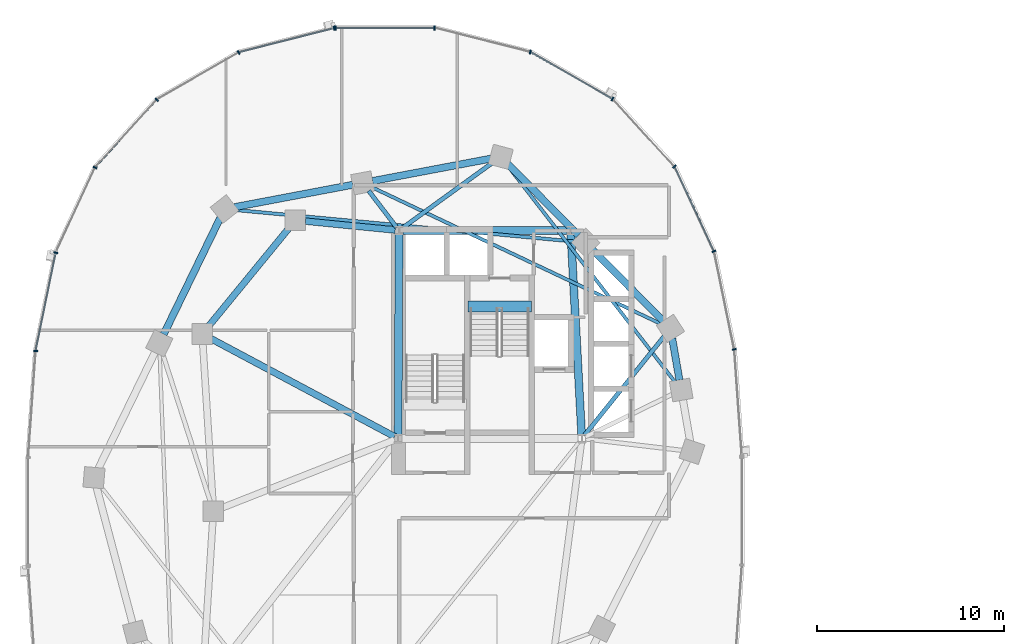
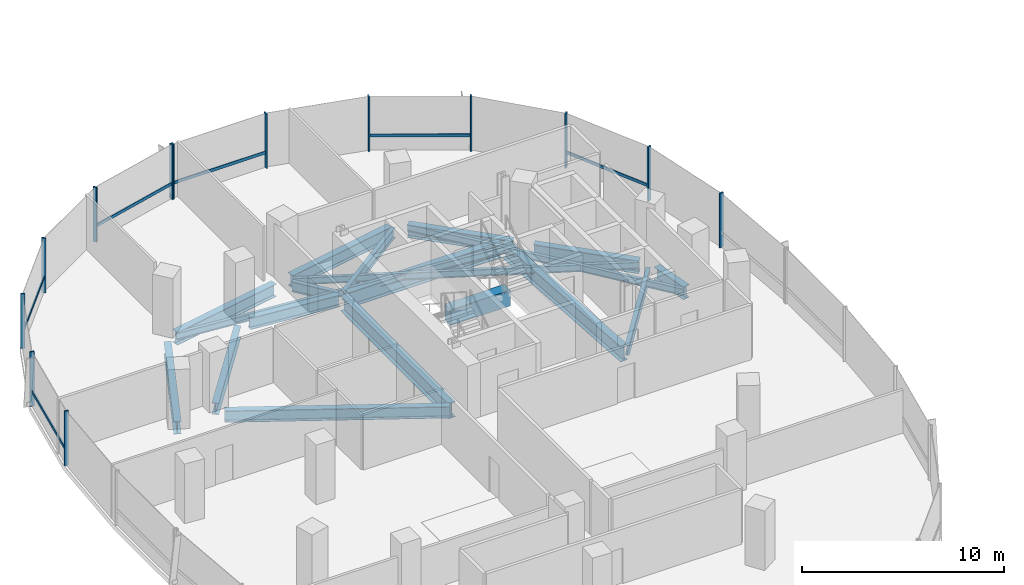
# One storey, part 4 of 21: 19 beams, 19 members, 2 elements without a shape of their own.
"""IFC4 building model written with IfcOpenShell, lengths in metres."""

import ifcopenshell
import ifcopenshell.guid

model = None  # the IFC model being written
_history = None  # IfcOwnerHistory: only IFC2X3 demands one
_inside = {}  # id of a spatial element -> (the spatial element, [elements in it])
_under = {}  # id of a project, library or spatial element -> (it, [spatial elements below it])
_declared = {}  # id of a project -> (the project, [libraries it declares])
_typed = {}  # id of a type object -> (the type object, [elements of that type])
_made_of = {}  # id of a material, layer set ... -> (it, [elements and type objects made of it])


def new_model(schema):
    """Start an empty IFC model of exactly this schema.

    Asked for "IFC4X3", IfcOpenShell would pick the latest addendum, in which some entities
    have other attributes; the version numbers below select the first issue.
    IFC2X3 requires an IfcOwnerHistory on every rooted entity: one is made here for all.
    """
    global model, _history
    if schema == "IFC4X3":
        model = ifcopenshell.file(schema_version=(4, 3, 0, 0))
    else:
        model = ifcopenshell.file(schema=schema)
    _inside.clear()
    _under.clear()
    _declared.clear()
    _typed.clear()
    _made_of.clear()
    _history = None
    if model.schema == "IFC2X3":
        org = make("IfcOrganization", Name="unknown")
        user = make(
            "IfcPersonAndOrganization",
            ThePerson=make("IfcPerson", FamilyName="unknown"),
            TheOrganization=org,
        )
        app = make(
            "IfcApplication",
            ApplicationDeveloper=org,
            Version="unknown",
            ApplicationFullName="unknown",
            ApplicationIdentifier="unknown",
        )
        _history = make(
            "IfcOwnerHistory",
            OwningUser=user,
            OwningApplication=app,
            ChangeAction="ADDED",
            CreationDate=0,
        )
    return model


def make(cls, **values):
    """One entity of the class cls with the attributes given. An attribute that is None is left unset."""
    return model.create_entity(
        cls, **{name: value for name, value in values.items() if value is not None}
    )


def rooted(cls, **values):
    """An entity with a GlobalId (a new one), such as an element, a storey or a relation."""
    return make(cls, GlobalId=ifcopenshell.guid.new(), OwnerHistory=_history, **values)


def si_unit(unit_type, name, prefix=None):
    """IfcSIUnit, for example si_unit("LENGTHUNIT", "METRE", prefix="MILLI")."""
    return make("IfcSIUnit", UnitType=unit_type, Prefix=prefix, Name=name)


def assignment(units):
    """IfcUnitAssignment: the units of a project."""
    return None if units is None else make("IfcUnitAssignment", Units=units)


def point(xyz):
    """IfcCartesianPoint."""
    return None if xyz is None else make("IfcCartesianPoint", Coordinates=xyz)


def direction(xyz):
    """IfcDirection."""
    return None if xyz is None else make("IfcDirection", DirectionRatios=xyz)


def frame(location, z_axis=None, x_axis=None):
    """IfcAxis2Placement3D, a coordinate frame: its origin and axes. An axis left out is left unset."""
    return make(
        "IfcAxis2Placement3D",
        Location=point(location),
        Axis=direction(z_axis),
        RefDirection=direction(x_axis),
    )


def frame_2d(location, x_axis=None):
    """IfcAxis2Placement2D, a coordinate frame in the plane: its origin and x axis."""
    return make(
        "IfcAxis2Placement2D", Location=point(location), RefDirection=direction(x_axis)
    )


def origin():
    """The frame at (0, 0, 0) with its axes left unset."""
    return frame((0.0, 0.0, 0.0))


def origin_2d():
    """The frame at (0, 0) in the plane with its x axis left unset."""
    return frame_2d((0.0, 0.0))


def place(relative_to, where):
    """IfcLocalPlacement: puts the frame where relative to a parent placement (None: the world)."""
    return make(
        "IfcLocalPlacement", PlacementRelTo=relative_to, RelativePlacement=where
    )


def context(
    kind, dimensions, precision=None, world=None, true_north=None, identifier=None
):
    """IfcGeometricRepresentationContext, for example the 3D "Model" context."""
    return make(
        "IfcGeometricRepresentationContext",
        ContextIdentifier=identifier,
        ContextType=kind,
        CoordinateSpaceDimension=dimensions,
        Precision=precision,
        WorldCoordinateSystem=world,
        TrueNorth=true_north,
    )


def subcontext(parent, identifier, kind, view, scale=None):
    """IfcGeometricRepresentationSubContext, for example "Body" below "Model"."""
    return make(
        "IfcGeometricRepresentationSubContext",
        ContextIdentifier=identifier,
        ContextType=kind,
        ParentContext=parent,
        TargetScale=scale,
        TargetView=view,
    )


def project(units=None, contexts=None):
    """IfcProject with its units and contexts."""
    return rooted(
        "IfcProject",
        Name="project",
        RepresentationContexts=contexts,
        UnitsInContext=assignment(units),
    )


def spatial(cls, under=None, at=None, **own):
    """A site, building, storey or space (cls), placed at a placement, below another one or the project."""
    s = rooted(cls, ObjectPlacement=at, **own)
    if under is not None:
        _under.setdefault(under.id(), (under, []))[1].append(s)
    return s


def profile(cls, at=None, kind="AREA", **sizes):
    """A parametric profile (cls). Its sizes go by their IFC names, for example OverallWidth=200.0."""
    return make(cls, ProfileType=kind, Position=at, **sizes)


def rectangle(**sizes):
    """IfcRectangleProfileDef."""
    return profile("IfcRectangleProfileDef", **sizes)


def i_section(**sizes):
    """IfcIShapeProfileDef."""
    return profile("IfcIShapeProfileDef", **sizes)


def extrude(swept, where, along, depth):
    """IfcExtrudedAreaSolid: the profile swept, set in the frame where, extruded along a direction by depth."""
    return make(
        "IfcExtrudedAreaSolid",
        SweptArea=swept,
        Position=where,
        ExtrudedDirection=direction(along),
        Depth=depth,
    )


def shape(context_of_items, identifier, shape_type, items):
    """IfcShapeRepresentation: the items that make up one representation, for example the "Body"."""
    return make(
        "IfcShapeRepresentation",
        ContextOfItems=context_of_items,
        RepresentationIdentifier=identifier,
        RepresentationType=shape_type,
        Items=items,
    )


def material(Name=None, Category=None):
    """IfcMaterial."""
    return make("IfcMaterial", Name=Name, Category=Category)


def material_profile(
    of_material, cross_section, Name=None, Category=None, Priority=None
):
    """IfcMaterialProfile: a cross section and its material."""
    return make(
        "IfcMaterialProfile",
        Name=Name,
        Material=of_material,
        Profile=cross_section,
        Priority=Priority,
        Category=Category,
    )


def profile_set(profiles, Name=None, composite=None):
    """IfcMaterialProfileSet."""
    return make(
        "IfcMaterialProfileSet",
        Name=Name,
        MaterialProfiles=profiles,
        CompositeProfile=composite,
    )


def made_of(thing, what):
    """Note that an element or type object is made of a material, layer set ...; save() writes the relation."""
    if what is not None:
        _made_of.setdefault(what.id(), (what, []))[1].append(thing)
    return thing


def type_object(cls, material=None, **own):
    """A type object (cls), such as IfcWallType, which elements share."""
    return made_of(rooted(cls, **own), material)


def element(
    cls,
    number,
    at=None,
    inside=None,
    cuts=None,
    type_object=None,
    material=None,
    context=None,
    identifier="Body",
    shape_type=None,
    held_by="IfcProductDefinitionShape",
    body=None,
    shapes=None,
    **own,
):
    """One element of the class cls, such as IfcWall. Its Tag is "e" and its number.

    at: its placement. inside: the storey or other place that contains it. cuts: it is an
    opening in that element (IfcRelVoidsElement). A single representation is given by context,
    identifier, shape_type and body (its items); several are given by shapes. held_by: the class
    of the entity that holds the representations. save() writes the other relations.
    """
    e = rooted(cls, Tag="e%d" % number, ObjectPlacement=at, **own)
    if body is not None:
        shapes = [shape(context, identifier, shape_type, body)]
    if shapes is not None:
        e.Representation = make(held_by, Representations=shapes)
    if inside is not None:
        _inside.setdefault(inside.id(), (inside, []))[1].append(e)
    if cuts is not None:
        rooted(
            "IfcRelVoidsElement", RelatingBuildingElement=cuts, RelatedOpeningElement=e
        )
    if type_object is not None:
        _typed.setdefault(type_object.id(), (type_object, []))[1].append(e)
    return made_of(e, material)


def aggregate(whole, parts):
    """IfcRelAggregates: a whole, such as a stair, and the parts it consists of."""
    return rooted("IfcRelAggregates", RelatingObject=whole, RelatedObjects=parts)


def save(model, path):
    """Write the relations noted so far, then the file.

    IfcRelAggregates (storeys below a building ...), IfcRelContainedInSpatialStructure (elements
    in a storey), IfcRelDefinesByType, IfcRelAssociatesMaterial and IfcRelDeclares: one each for
    every whole, place, type object, material and project.
    """
    for whole, parts in _under.values():
        aggregate(whole, parts)
    for where, things in _inside.values():
        rooted(
            "IfcRelContainedInSpatialStructure",
            RelatedElements=things,
            RelatingStructure=where,
        )
    for kind, things in _typed.values():
        rooted("IfcRelDefinesByType", RelatedObjects=things, RelatingType=kind)
    for what, things in _made_of.values():
        rooted("IfcRelAssociatesMaterial", RelatedObjects=things, RelatingMaterial=what)
    for by, libraries in _declared.values():
        rooted("IfcRelDeclares", RelatingContext=by, RelatedDefinitions=libraries)
    model.write(path)


model = new_model("IFC4")

# Units and contexts
model_context = context("Model", 3, precision=1e-05, world=origin(), true_north=direction((0.0, 1.0)))
body_context = subcontext(model_context, "Body", "Model", "MODEL_VIEW")
ifc_project = project(units=[si_unit("LENGTHUNIT", "METRE"), si_unit("AREAUNIT", "SQUARE_METRE"), si_unit("VOLUMEUNIT", "CUBIC_METRE"), si_unit("PLANEANGLEUNIT", "RADIAN"), si_unit("MASSUNIT", "GRAM", prefix="KILO"), si_unit("THERMODYNAMICTEMPERATUREUNIT", "KELVIN"), si_unit("POWERUNIT", "WATT")], contexts=[model_context])

# Site, building, storey
site_placement = place(None, origin())
site = spatial("IfcSite", under=ifc_project, at=site_placement, CompositionType="ELEMENT")
building_placement = place(site_placement, origin())
building = spatial("IfcBuilding", under=site, at=building_placement, Name="Cundina Bronze Exchange", CompositionType="ELEMENT")
storey_placement = place(building_placement, frame((0.0, 0.0, 92.60009765625)))
storey = spatial("IfcBuildingStorey", under=building, at=storey_placement, Name="L23", CompositionType="ELEMENT", Elevation=92.60009765625)

# Beams
ifc_material_1 = material(Name="Concrete C60/75", Category="concrete")
ifc_material_profile_1 = material_profile(ifc_material_1, rectangle(XDim=0.60009765625, YDim=0.949951171875, at=origin_2d()), Name="RC600X950", Category="concrete")
ifc_profile_set_1 = profile_set([ifc_material_profile_1], Name="Concrete C60/75")
beam_type_1 = type_object("IfcBeamType", Name="BM-COUP-RC950", PredefinedType="LINTEL", material=ifc_profile_set_1)
beam_1_placement = place(storey_placement, frame((-27.56005859375, 10.97998046875, -0.47509765625), z_axis=(1.0, 0.0, 0.0), x_axis=(0.0, 1.0, 0.0)))
element("IfcBeam", 1, at=beam_1_placement, inside=storey, type_object=beam_type_1, Name="L23 Stair W2 Landing Header Beam", PredefinedType="LINTEL", context=body_context, shape_type="SweptSolid", body=[
    extrude(rectangle(XDim=0.60009765625, YDim=0.949951171875, at=origin_2d()), origin(), (0.0, 0.0, 1.0), 3.400146484375),
])
ifc_material_2 = material(Name="Steel ASTM A992 Grade 50", Category="steel")
ifc_material_profile_2 = material_profile(ifc_material_2, i_section(OverallWidth=0.22998046875, OverallDepth=0.616943359375, WebThickness=0.01318359375, FlangeThickness=0.022216796875, FilletRadius=0.013916015625, at=origin_2d()), Name="W24X94", Category="steel")
ifc_profile_set_2 = profile_set([ifc_material_profile_2], Name="Steel ASTM A992 Grade 50")
beam_type_2 = type_object("IfcBeamType", Name="BM-FLR-W24B", PredefinedType="BEAM", material=ifc_profile_set_2)
beam_2_placement = place(storey_placement, frame((-21.322021484375, 4.058837890625, -0.608642578125), z_axis=(0.627106187843, 0.778933777139, 0.0), x_axis=(-0.778933777139, 0.627106187843, 0.0)))
element("IfcBeam", 2, at=beam_2_placement, inside=storey, type_object=beam_type_2, Name="L23 Leg W Radial Floor Beam 02", PredefinedType="BEAM", context=body_context, shape_type="SweptSolid", body=[
    extrude(i_section(OverallWidth=0.22998046875, OverallDepth=0.616943359375, WebThickness=0.01318359375, FlangeThickness=0.022216796875, FilletRadius=0.013916015625, at=origin_2d()), origin(), (0.0, 0.0, 1.0), 6.83251953125),
])
beam_3_placement = place(storey_placement, frame((-31.084716796875, 15.169677734375, -0.608642578125), z_axis=(0.809686957662, 0.586862020063, 0.0), x_axis=(-0.586862020063, 0.809686957662, 0.0)))
element("IfcBeam", 3, at=beam_3_placement, inside=storey, type_object=beam_type_2, Name="L23 Leg W Radial Floor Beam 04", PredefinedType="BEAM", context=body_context, shape_type="SweptSolid", body=[
    extrude(i_section(OverallWidth=0.22998046875, OverallDepth=0.616943359375, WebThickness=0.01318359375, FlangeThickness=0.022216796875, FilletRadius=0.013916015625, at=origin_2d()), origin(), (0.0, 0.0, 1.0), 5.98876953125),
])
beam_4_placement = place(storey_placement, frame((-31.373779296875, 15.2119140625, -0.608642578125), z_axis=(-0.607490490457, 0.79432695032, 0.0), x_axis=(-0.79432695032, -0.607490490457, 0.0)))
element("IfcBeam", 4, at=beam_4_placement, inside=storey, type_object=beam_type_2, Name="L23 Leg W Radial Floor Beam 05", PredefinedType="BEAM", context=body_context, shape_type="SweptSolid", body=[
    extrude(i_section(OverallWidth=0.22998046875, OverallDepth=0.616943359375, WebThickness=0.01318359375, FlangeThickness=0.022216796875, FilletRadius=0.013916015625, at=origin_2d()), origin(), (0.0, 0.0, 1.0), 2.46826171875),
])
ifc_material_profile_3 = material_profile(ifc_material_2, i_section(OverallWidth=0.178955078125, OverallDepth=0.409912109375, WebThickness=0.0087890625, FlangeThickness=0.014404296875, FilletRadius=0.010986328125, at=origin_2d()), Name="W16X45", Category="steel")
ifc_profile_set_3 = profile_set([ifc_material_profile_3], Name="Steel ASTM A992 Grade 50")
beam_type_3 = type_object("IfcBeamType", Name="BM-JST-W16", PredefinedType="JOIST", material=ifc_profile_set_3)
beam_5_placement = place(storey_placement, frame((-16.454345703125, 6.92529296875, -0.505126953125), z_axis=(-0.612065218806, 0.790807288742, 0.0), x_axis=(-0.790807288742, -0.612065218806, 0.0)))
element("IfcBeam", 5, at=beam_5_placement, inside=storey, type_object=beam_type_3, Name="L23 Leg W Lobe Floor Joist 01-04", PredefinedType="JOIST", context=body_context, shape_type="SweptSolid", body=[
    extrude(i_section(OverallWidth=0.178955078125, OverallDepth=0.409912109375, WebThickness=0.0087890625, FlangeThickness=0.014404296875, FilletRadius=0.010986328125, at=origin_2d()), origin(), (0.0, 0.0, 1.0), 14.73095703125),
])
beam_6_placement = place(storey_placement, frame((-17.186279296875, 10.02978515625, -0.505126953125), z_axis=(-0.904069270633, 0.427385954259, 0.0), x_axis=(-0.427385954259, -0.904069270633, 0.0)))
element("IfcBeam", 6, at=beam_6_placement, inside=storey, type_object=beam_type_3, Name="L23 Leg W Lobe Floor Joist 02-05", PredefinedType="JOIST", context=body_context, shape_type="SweptSolid", body=[
    extrude(i_section(OverallWidth=0.178955078125, OverallDepth=0.409912109375, WebThickness=0.0087890625, FlangeThickness=0.014404296875, FilletRadius=0.010986328125, at=origin_2d()), origin(), (0.0, 0.0, 1.0), 17.175048828125),
])
beam_7_placement = place(storey_placement, frame((-21.78564453125, 14.44970703125, -0.505126953125), z_axis=(-0.995700674022, 0.092629194921, 0.0), x_axis=(-0.092629194921, -0.995700674022, 0.0)))
element("IfcBeam", 7, at=beam_7_placement, inside=storey, type_object=beam_type_3, Name="L23 Leg W Lobe Floor Joist 03-06", PredefinedType="JOIST", context=body_context, shape_type="SweptSolid", body=[
    extrude(i_section(OverallWidth=0.178955078125, OverallDepth=0.409912109375, WebThickness=0.0087890625, FlangeThickness=0.014404296875, FilletRadius=0.010986328125, at=origin_2d()), origin(), (0.0, 0.0, 1.0), 18.357421875),
])
ifc_material_profile_4 = material_profile(ifc_material_2, i_section(OverallWidth=0.35498046875, OverallDepth=0.695068359375, WebThickness=0.015380859375, FlangeThickness=0.02490234375, FilletRadius=0.01806640625, at=origin_2d()), Name="W27X146", Category="steel")
ifc_profile_set_4 = profile_set([ifc_material_profile_4], Name="Steel ASTM A992 Grade 50")
beam_type_4 = type_object("IfcBeamType", Name="BM-RING-W27", PredefinedType="USERDEFINED", material=ifc_profile_set_4)
beam_8_placement = place(storey_placement, frame((-31.452880859375, 15.070068359375, -0.647705078125), z_axis=(-0.995126271817, 0.098608839051, 0.0), x_axis=(-0.098608839051, -0.995126271817, 0.0)))
element("IfcBeam", 8, at=beam_8_placement, inside=storey, type_object=beam_type_4, Name="L23 W Inner Structural Ring Girder 01", ObjectType="GIRDER", PredefinedType="USERDEFINED", context=body_context, shape_type="SweptSolid", body=[
    extrude(i_section(OverallWidth=0.35498046875, OverallDepth=0.695068359375, WebThickness=0.015380859375, FlangeThickness=0.02490234375, FilletRadius=0.01806640625, at=origin_2d()), origin(), (0.0, 0.0, 1.0), 4.83544921875),
])
beam_9_placement = place(storey_placement, frame((-37.14111328125, 15.183837890625, -0.647705078125), z_axis=(-0.633926549035, -0.773393257295, 0.0), x_axis=(0.773393257295, -0.633926549035, 0.0)))
element("IfcBeam", 9, at=beam_9_placement, inside=storey, type_object=beam_type_4, Name="L23 W Inner Structural Ring Girder 02", ObjectType="GIRDER", PredefinedType="USERDEFINED", context=body_context, shape_type="SweptSolid", body=[
    extrude(i_section(OverallWidth=0.35498046875, OverallDepth=0.695068359375, WebThickness=0.015380859375, FlangeThickness=0.02490234375, FilletRadius=0.01806640625, at=origin_2d()), origin(), (0.0, 0.0, 1.0), 6.811279296875),
])
beam_10_placement = place(storey_placement, frame((-31.47998046875, 3.99609375, -0.647705078125), z_axis=(-0.882354758239, 0.470584828286, 0.0), x_axis=(-0.470584828286, -0.882354758239, 0.0)))
element("IfcBeam", 10, at=beam_10_placement, inside=storey, type_object=beam_type_4, Name="L23 W Core-to-Waist Tie Beam 2", ObjectType="GIRDER", PredefinedType="USERDEFINED", context=body_context, shape_type="SweptSolid", body=[
    extrude(i_section(OverallWidth=0.35498046875, OverallDepth=0.695068359375, WebThickness=0.015380859375, FlangeThickness=0.02490234375, FilletRadius=0.01806640625, at=origin_2d()), origin(), (0.0, 0.0, 1.0), 11.157958984375),
])
ifc_material_profile_5 = material_profile(ifc_material_2, i_section(OverallWidth=0.381103515625, OverallDepth=0.77294921875, WebThickness=0.0166015625, FlangeThickness=0.027099609375, FilletRadius=0.01904296875, at=origin_2d()), Name="W30X173", Category="steel")
ifc_profile_set_5 = profile_set([ifc_material_profile_5], Name="Steel ASTM A992 Grade 50")
beam_type_5 = type_object("IfcBeamType", Name="BM-RING-W30", PredefinedType="USERDEFINED", material=ifc_profile_set_5)
beam_11_placement = place(storey_placement, frame((-16.21728515625, 7.030029296875, -0.6865234375), z_axis=(-0.171690078326, 0.985151012284, 0.0), x_axis=(-0.985151012284, -0.171690078326, 0.0)))
element("IfcBeam", 11, at=beam_11_placement, inside=storey, type_object=beam_type_5, Name="L23 W Perimeter Ring Girder 01", ObjectType="GIRDER", PredefinedType="USERDEFINED", context=body_context, shape_type="SweptSolid", body=[
    extrude(i_section(OverallWidth=0.381103515625, OverallDepth=0.77294921875, WebThickness=0.0166015625, FlangeThickness=0.027099609375, FilletRadius=0.01904296875, at=origin_2d()), origin(), (0.0, 0.0, 1.0), 2.273681640625),
])
for number, where, z_axis, x_axis, name in (
    (12, (-17.078369140625, 10.1826171875, -0.6865234375), (-0.703226342126, 0.7109660412, 0.0), (-0.7109660412, -0.703226342126, 0.0), "L23 W Perimeter Ring Girder 02"),
    (13, (-21.62841796875, 14.782470703125, -0.6865234375), (-0.703226342126, 0.7109660412, 0.0), (-0.7109660412, -0.703226342126, 0.0), "L23 W Perimeter Ring Girder 03"),
):
    element("IfcBeam", number, at=place(storey_placement, frame(where, z_axis=z_axis, x_axis=x_axis)), inside=storey, type_object=beam_type_5, Name=name, ObjectType="GIRDER", PredefinedType="USERDEFINED", context=body_context, shape_type="SweptSolid", body=[
        extrude(i_section(OverallWidth=0.381103515625, OverallDepth=0.77294921875, WebThickness=0.0166015625, FlangeThickness=0.027099609375, FilletRadius=0.01904296875, at=origin_2d()), origin(), (0.0, 0.0, 1.0), 5.39404296875),
    ])
for number, where, z_axis, x_axis, name in (
    (14, (-26.32861328125, 18.89990234375, -0.6865234375), (-0.98257117919, -0.185886733861, 0.0), (0.185886733861, -0.98257117919, 0.0), "L23 W Perimeter Ring Girder 04"),
    (15, (-33.728515625, 17.5, -0.6865234375), (-0.98257117919, -0.185886733861, 0.0), (0.185886733861, -0.98257117919, 0.0), "L23 W Perimeter Ring Girder 05"),
):
    element("IfcBeam", number, at=place(storey_placement, frame(where, z_axis=z_axis, x_axis=x_axis)), inside=storey, type_object=beam_type_5, Name=name, ObjectType="GIRDER", PredefinedType="USERDEFINED", context=body_context, shape_type="SweptSolid", body=[
        extrude(i_section(OverallWidth=0.381103515625, OverallDepth=0.77294921875, WebThickness=0.0166015625, FlangeThickness=0.027099609375, FilletRadius=0.01904296875, at=origin_2d()), origin(), (0.0, 0.0, 1.0), 6.455322265625),
    ])
beam_12_placement = place(storey_placement, frame((-40.835205078125, 15.716064453125, -0.6865234375), z_axis=(-0.437193894283, -0.899367276924, 0.0), x_axis=(0.899367276924, -0.437193894283, 0.0)))
element("IfcBeam", 16, at=beam_12_placement, inside=storey, type_object=beam_type_5, Name="L23 W Perimeter Ring Girder 06", ObjectType="GIRDER", PredefinedType="USERDEFINED", context=body_context, shape_type="SweptSolid", body=[
    extrude(i_section(OverallWidth=0.381103515625, OverallDepth=0.77294921875, WebThickness=0.0166015625, FlangeThickness=0.027099609375, FilletRadius=0.01904296875, at=origin_2d()), origin(), (0.0, 0.0, 1.0), 6.929443359375),
])
ifc_material_profile_6 = material_profile(ifc_material_2, i_section(OverallWidth=0.41796875, OverallDepth=0.927001953125, WebThickness=0.019287109375, FlangeThickness=0.031982421875, FilletRadius=0.02392578125, at=origin_2d()), Name="W36X231", Category="steel")
ifc_profile_set_6 = profile_set([ifc_material_profile_6], Name="Steel ASTM A992 Grade 50")
beam_type_6 = type_object("IfcBeamType", Name="BM-WRN-W36B", PredefinedType="USERDEFINED", material=ifc_profile_set_6)
beam_13_placement = place(storey_placement, frame((-21.4609375, 4.103759765625, -0.763671875), z_axis=(-0.053739193498, 0.998555005537, 0.0), x_axis=(-0.998555005537, -0.053739193498, 0.0)))
element("IfcBeam", 17, at=beam_13_placement, inside=storey, type_object=beam_type_6, Name="L23 W Core Perimeter Tie Girder 2", ObjectType="GIRDER", PredefinedType="USERDEFINED", context=body_context, shape_type="SweptSolid", body=[
    extrude(i_section(OverallWidth=0.41796875, OverallDepth=0.927001953125, WebThickness=0.019287109375, FlangeThickness=0.031982421875, FilletRadius=0.02392578125, at=origin_2d()), origin(), (0.0, 0.0, 1.0), 10.758056640625),
])
beam_14_placement = place(storey_placement, frame((-22.25390625, 15.050048828125, -0.763671875), z_axis=(-1.0, 0.0, 0.0), x_axis=(0.0, -1.0, 0.0)))
element("IfcBeam", 18, at=beam_14_placement, inside=storey, type_object=beam_type_6, Name="L23 W Core Perimeter Tie Girder 3", ObjectType="GIRDER", PredefinedType="USERDEFINED", context=body_context, shape_type="SweptSolid", body=[
    extrude(i_section(OverallWidth=0.41796875, OverallDepth=0.927001953125, WebThickness=0.019287109375, FlangeThickness=0.031982421875, FilletRadius=0.02392578125, at=origin_2d()), origin(), (0.0, 0.0, 1.0), 8.7919921875),
])
beam_15_placement = place(storey_placement, frame((-31.2509765625, 14.845947265625, -0.763671875), z_axis=(-0.004477329608, -0.99998997671, 0.0), x_axis=(0.99998997671, -0.004477329608, 0.0)))
element("IfcBeam", 19, at=beam_15_placement, inside=storey, type_object=beam_type_6, Name="L23 W Core Perimeter Tie Girder 4", ObjectType="GIRDER", PredefinedType="USERDEFINED", context=body_context, shape_type="SweptSolid", body=[
    extrude(i_section(OverallWidth=0.41796875, OverallDepth=0.927001953125, WebThickness=0.019287109375, FlangeThickness=0.031982421875, FilletRadius=0.02392578125, at=origin_2d()), origin(), (0.0, 0.0, 1.0), 10.741943359375),
])

# Curtain wall, members
ifc_material_3 = material(Name="Anodised Bronze Aluminium 6063-T6", Category="aluminium")
curtain_wall_type = type_object("IfcCurtainWallType", Name="CWS-TRD-MID", PredefinedType="NOTDEFINED", material=ifc_material_3)
curtain_wall_1_placement = place(storey_placement, origin())
curtain_wall_1 = element("IfcCurtainWall", 20, at=curtain_wall_1_placement, inside=storey, type_object=curtain_wall_type, Name="L23 CW-03 Curtain Wall Run CWR-L23-W1", PredefinedType="NOTDEFINED")
ifc_material_profile_7 = material_profile(ifc_material_3, rectangle(XDim=0.074951171875, YDim=0.219970703125, at=origin_2d()), Name="AL75X220", Category="aluminium")
ifc_profile_set_7 = profile_set([ifc_material_profile_7], Name="Anodised Bronze Aluminium 6063-T6")
member_type_1 = type_object("IfcMemberType", Name="CWM-MUL-220", PredefinedType="MULLION", material=ifc_profile_set_7)
member_1_placement = place(storey_placement, frame((-13.282958984375, 8.67822265625, 0.0), z_axis=(0.0, 0.0, 1.0), x_axis=(-0.201419845156, 0.979505000486, 0.0)))
member_1 = element("IfcMember", 21, at=member_1_placement, type_object=member_type_1, Name="CW-03 Mullion 2", PredefinedType="MULLION", context=body_context, shape_type="SweptSolid", body=[
    extrude(rectangle(XDim=0.074951171875, YDim=0.219970703125, at=origin_2d()), origin(), (0.0, 0.0, 1.0), 3.2998046875),
])
member_2_placement = place(storey_placement, frame((-14.3720703125, 13.931884765625, 0.0), z_axis=(0.0, 0.0, 1.0), x_axis=(-0.42087749791, 0.907117485088, 0.0)))
member_2 = element("IfcMember", 22, at=member_2_placement, type_object=member_type_1, Name="CW-03 Mullion 3", PredefinedType="MULLION", context=body_context, shape_type="SweptSolid", body=[
    extrude(rectangle(XDim=0.074951171875, YDim=0.219970703125, at=origin_2d()), origin(), (0.0, 0.0, 1.0), 3.2998046875),
])
member_3_placement = place(storey_placement, frame((-16.491455078125, 18.47705078125, 0.0), z_axis=(0.0, 0.0, 1.0), x_axis=(-0.674302387584, 0.738455340626, 0.0)))
member_3 = element("IfcMember", 23, at=member_3_placement, type_object=member_type_1, Name="CW-03 Mullion 4", PredefinedType="MULLION", context=body_context, shape_type="SweptSolid", body=[
    extrude(rectangle(XDim=0.074951171875, YDim=0.219970703125, at=origin_2d()), origin(), (0.0, 0.0, 1.0), 3.2998046875),
])
member_4_placement = place(storey_placement, frame((-19.810302734375, 22.097412109375, 0.0), z_axis=(0.0, 0.0, 1.0), x_axis=(-0.867070701164, 0.498185105339, 0.0)))
member_4 = element("IfcMember", 24, at=member_4_placement, type_object=member_type_1, Name="CW-03 Mullion 5", PredefinedType="MULLION", context=body_context, shape_type="SweptSolid", body=[
    extrude(rectangle(XDim=0.074951171875, YDim=0.219970703125, at=origin_2d()), origin(), (0.0, 0.0, 1.0), 3.2998046875),
])
member_5_placement = place(storey_placement, frame((-24.21484375, 24.61669921875, 0.0), z_axis=(0.0, 0.0, 1.0), x_axis=(-0.969488149345, 0.245138182011, 0.0)))
member_5 = element("IfcMember", 25, at=member_5_placement, type_object=member_type_1, Name="CW-03 Mullion 6", PredefinedType="MULLION", context=body_context, shape_type="SweptSolid", body=[
    extrude(rectangle(XDim=0.074951171875, YDim=0.219970703125, at=origin_2d()), origin(), (0.0, 0.0, 1.0), 3.2998046875),
])
member_6_placement = place(storey_placement, frame((-29.345458984375, 25.905029296875, 0.0), z_axis=(0.0, 0.0, 1.0), x_axis=(-1.0, 0.0, 0.0)))
member_6 = element("IfcMember", 26, at=member_6_placement, type_object=member_type_1, Name="CW-03 Mullion 7", PredefinedType="MULLION", context=body_context, shape_type="SweptSolid", body=[
    extrude(rectangle(XDim=0.074951171875, YDim=0.219970703125, at=origin_2d()), origin(), (0.0, 0.0, 1.0), 3.2998046875),
])
member_7_placement = place(storey_placement, frame((-34.654541015625, 25.905029296875, 0.0), z_axis=(0.0, 0.0, 1.0), x_axis=(-1.0, 0.0, 0.0)))
member_7 = element("IfcMember", 27, at=member_7_placement, type_object=member_type_1, Name="CW-03 End Mullion", PredefinedType="MULLION", context=body_context, shape_type="SweptSolid", body=[
    extrude(rectangle(XDim=0.074951171875, YDim=0.219970703125, at=origin_2d()), origin(), (0.0, 0.0, 1.0), 3.2998046875),
])

curtain_wall_2_placement = place(storey_placement, origin())
curtain_wall_2 = element("IfcCurtainWall", 28, at=curtain_wall_2_placement, inside=storey, type_object=curtain_wall_type, Name="L23 CW-03 Curtain Wall Run CWR-L23-W2", PredefinedType="NOTDEFINED")
member_8_placement = place(storey_placement, frame((-34.72607421875, 25.89599609375, 0.0), z_axis=(0.0, 0.0, 1.0), x_axis=(-0.969488149345, -0.245138182011, 0.0)))
member_8 = element("IfcMember", 29, at=member_8_placement, type_object=member_type_1, Name="CW-03 Mullion 1", PredefinedType="MULLION", context=body_context, shape_type="SweptSolid", body=[
    extrude(rectangle(XDim=0.074951171875, YDim=0.219970703125, at=origin_2d()), origin(), (0.0, 0.0, 1.0), 3.2998046875),
])
member_9_placement = place(storey_placement, frame((-39.848876953125, 24.591064453125, 0.0), z_axis=(0.0, 0.0, 1.0), x_axis=(-0.867070701164, -0.498185105339, 0.0)))
member_9 = element("IfcMember", 30, at=member_9_placement, type_object=member_type_1, Name="CW-03 Mullion 2", PredefinedType="MULLION", context=body_context, shape_type="SweptSolid", body=[
    extrude(rectangle(XDim=0.074951171875, YDim=0.219970703125, at=origin_2d()), origin(), (0.0, 0.0, 1.0), 3.2998046875),
])
member_10_placement = place(storey_placement, frame((-44.239501953125, 22.0576171875, 0.0), z_axis=(0.0, 0.0, 1.0), x_axis=(-0.674302387584, -0.738455340626, 0.0)))
member_10 = element("IfcMember", 31, at=member_10_placement, type_object=member_type_1, Name="CW-03 Mullion 3", PredefinedType="MULLION", context=body_context, shape_type="SweptSolid", body=[
    extrude(rectangle(XDim=0.074951171875, YDim=0.219970703125, at=origin_2d()), origin(), (0.0, 0.0, 1.0), 3.2998046875),
])
member_11_placement = place(storey_placement, frame((-47.544189453125, 18.423583984375, 0.0), z_axis=(0.0, 0.0, 1.0), x_axis=(-0.42087749791, -0.907117485088, 0.0)))
member_11 = element("IfcMember", 32, at=member_11_placement, type_object=member_type_1, Name="CW-03 Mullion 4", PredefinedType="MULLION", context=body_context, shape_type="SweptSolid", body=[
    extrude(rectangle(XDim=0.074951171875, YDim=0.219970703125, at=origin_2d()), origin(), (0.0, 0.0, 1.0), 3.2998046875),
])
member_12_placement = place(storey_placement, frame((-49.651123046875, 13.861328125, 0.0), z_axis=(0.0, 0.0, 1.0), x_axis=(-0.201419845156, -0.979505000486, 0.0)))
member_12 = element("IfcMember", 33, at=member_12_placement, type_object=member_type_1, Name="CW-03 Mullion 5", PredefinedType="MULLION", context=body_context, shape_type="SweptSolid", body=[
    extrude(rectangle(XDim=0.074951171875, YDim=0.219970703125, at=origin_2d()), origin(), (0.0, 0.0, 1.0), 3.2998046875),
])
member_13_placement = place(storey_placement, frame((-50.72900390625, 8.591552734375, 0.0), z_axis=(0.0, 0.0, 1.0), x_axis=(-0.070278787473, -0.997527389113, 0.0)))
member_13 = element("IfcMember", 34, at=member_13_placement, type_object=member_type_1, Name="CW-03 Mullion 6", PredefinedType="MULLION", context=body_context, shape_type="SweptSolid", body=[
    extrude(rectangle(XDim=0.074951171875, YDim=0.219970703125, at=origin_2d()), origin(), (0.0, 0.0, 1.0), 3.2998046875),
])

# Member
ifc_material_profile_8 = material_profile(ifc_material_3, rectangle(XDim=0.070068359375, YDim=0.179931640625, at=origin_2d()), Name="AL70X180", Category="aluminium")
ifc_profile_set_8 = profile_set([ifc_material_profile_8], Name="Anodised Bronze Aluminium 6063-T6")
member_type_2 = type_object("IfcMemberType", Name="CWM-TRN-180", PredefinedType="USERDEFINED", material=ifc_profile_set_8)
member_14_placement = place(storey_placement, frame((-14.389404296875, 13.96923828125, 0.919921875), z_axis=(-0.420811422796, 0.907148139195, 0.0), x_axis=(-0.907148139195, -0.420811422796, 0.0)))
member_14 = element("IfcMember", 35, at=member_14_placement, type_object=member_type_2, Name="CW-03 Spandrel Transom 3", ObjectType="TRANSOM", PredefinedType="USERDEFINED", context=body_context, shape_type="SweptSolid", body=[
    extrude(rectangle(XDim=0.070068359375, YDim=0.179931640625, at=origin_2d()), origin(), (0.0, 0.0, 1.0), 4.95166015625),
])

member_15_placement = place(storey_placement, frame((-19.845947265625, 22.117919921875, 0.919921875), z_axis=(-0.867097475651, 0.498138502546, 0.0), x_axis=(-0.498138502546, -0.867097475651, 0.0)))
member_15 = element("IfcMember", 36, at=member_15_placement, type_object=member_type_2, Name="CW-03 Spandrel Transom 5", ObjectType="TRANSOM", PredefinedType="USERDEFINED", context=body_context, shape_type="SweptSolid", body=[
    extrude(rectangle(XDim=0.070068359375, YDim=0.179931640625, at=origin_2d()), origin(), (0.0, 0.0, 1.0), 5.00634765625),
])

member_16_placement = place(storey_placement, frame((-29.38671875, 25.905029296875, 0.919921875), z_axis=(-1.0, 0.0, 0.0), x_axis=(0.0, -1.0, 0.0)))
member_16 = element("IfcMember", 37, at=member_16_placement, type_object=member_type_2, Name="CW-03 Spandrel Transom 7", ObjectType="TRANSOM", PredefinedType="USERDEFINED", context=body_context, shape_type="SweptSolid", body=[
    extrude(rectangle(XDim=0.070068359375, YDim=0.179931640625, at=origin_2d()), origin(), (0.0, 0.0, 1.0), 5.2265625),
])

aggregate(curtain_wall_1, [member_1, member_2, member_14, member_3, member_4, member_15, member_5, member_6, member_7, member_16])

member_17_placement = place(storey_placement, frame((-34.76611328125, 25.885986328125, 0.919921875), z_axis=(-0.969483968866, -0.245154714644, 0.0), x_axis=(0.245154714644, -0.969483968866, 0.0)))
member_17 = element("IfcMember", 38, at=member_17_placement, type_object=member_type_2, Name="CW-03 Spandrel Transom 1", ObjectType="TRANSOM", PredefinedType="USERDEFINED", context=body_context, shape_type="SweptSolid", body=[
    extrude(rectangle(XDim=0.070068359375, YDim=0.179931640625, at=origin_2d()), origin(), (0.0, 0.0, 1.0), 5.21826171875),
])

member_18_placement = place(storey_placement, frame((-44.26708984375, 22.027099609375, 0.919921875), z_axis=(-0.674302794847, -0.738454968743, 0.0), x_axis=(0.738454968743, -0.674302794847, 0.0)))
member_18 = element("IfcMember", 39, at=member_18_placement, type_object=member_type_2, Name="CW-03 Spandrel Transom 3", ObjectType="TRANSOM", PredefinedType="USERDEFINED", context=body_context, shape_type="SweptSolid", body=[
    extrude(rectangle(XDim=0.070068359375, YDim=0.179931640625, at=origin_2d()), origin(), (0.0, 0.0, 1.0), 4.848388671875),
])

member_19_placement = place(storey_placement, frame((-49.659423828125, 13.821044921875, 0.919921875), z_axis=(-0.201427712708, -0.979503382615, 0.0), x_axis=(0.979503382615, -0.201427712708, 0.0)))
member_19 = element("IfcMember", 40, at=member_19_placement, type_object=member_type_2, Name="CW-03 Spandrel Transom 5", ObjectType="TRANSOM", PredefinedType="USERDEFINED", context=body_context, shape_type="SweptSolid", body=[
    extrude(rectangle(XDim=0.070068359375, YDim=0.179931640625, at=origin_2d()), origin(), (0.0, 0.0, 1.0), 5.291748046875),
])

aggregate(curtain_wall_2, [member_8, member_17, member_9, member_10, member_18, member_11, member_12, member_19, member_13])

save(model, "model.ifc")
